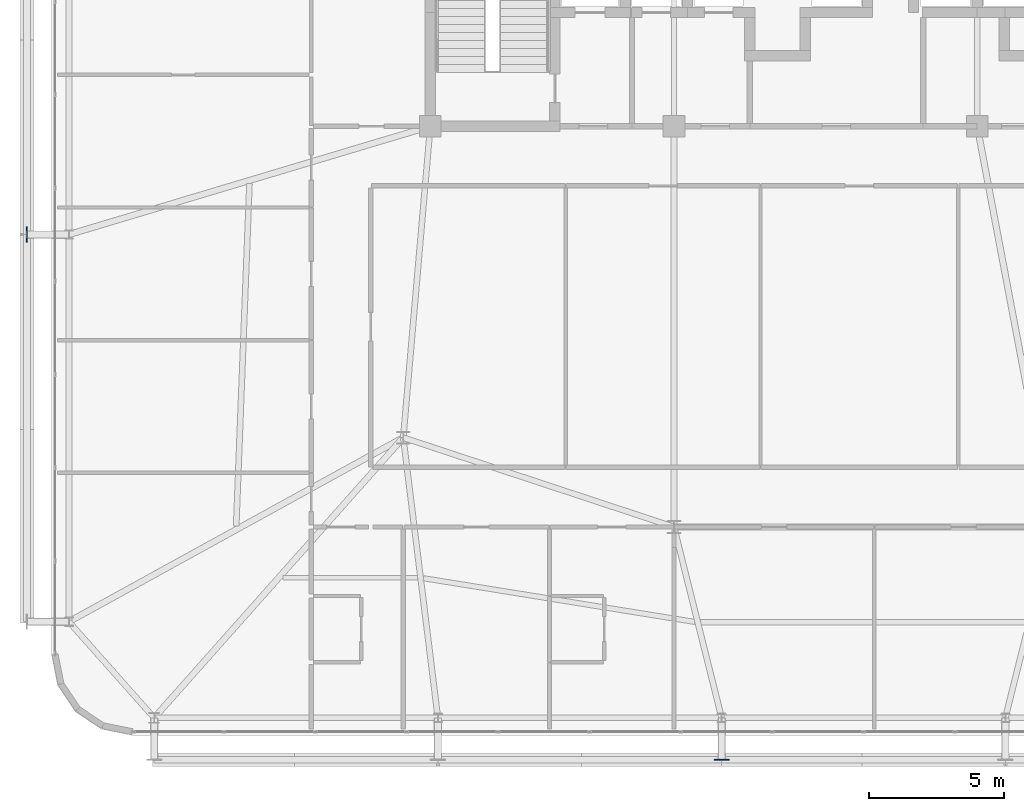
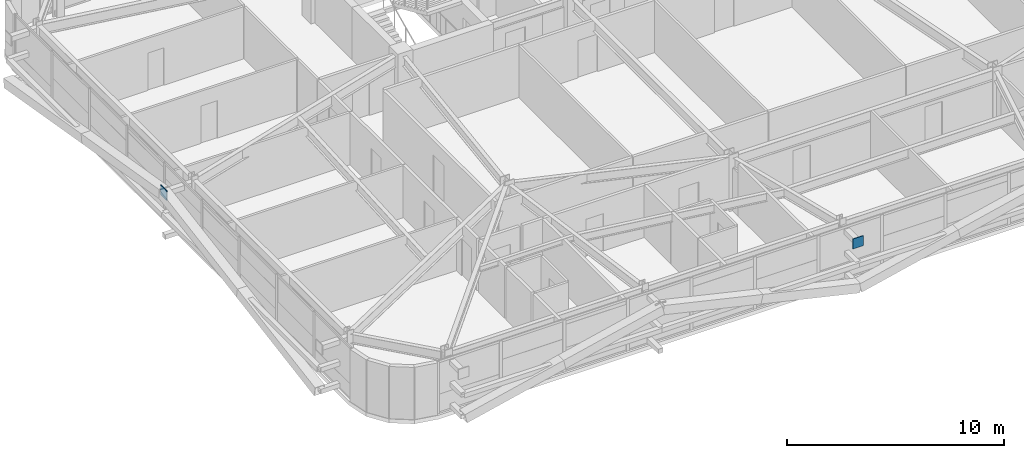
# One storey, part 45 of 58: 2 plates.
"""IFC4 building model written with IfcOpenShell, lengths in metres."""

from ifc_helpers import new_model, si_unit, direction, frame, origin, origin_2d, place, context, subcontext, project, spatial, rectangle, extrude, source, transform, mapped, material, layer, layer_set, type_object, element, save


model = new_model("IFC4")

# Units and contexts
model_context = context("Model", 3, precision=1e-05, world=origin(), true_north=direction((0.0, 1.0)))
body_context = subcontext(model_context, "Body", "Model", "MODEL_VIEW")
ifc_project = project(units=[si_unit("LENGTHUNIT", "METRE"), si_unit("AREAUNIT", "SQUARE_METRE"), si_unit("VOLUMEUNIT", "CUBIC_METRE"), si_unit("PLANEANGLEUNIT", "RADIAN"), si_unit("MASSUNIT", "GRAM", prefix="KILO")], contexts=[model_context])

# Site, building, storey
site_placement = place(None, origin())
site = spatial("IfcSite", under=ifc_project, at=site_placement, CompositionType="ELEMENT")
building_placement = place(site_placement, origin())
building = spatial("IfcBuilding", under=site, at=building_placement, Name="Taldren Reach Tower", CompositionType="ELEMENT")
storey_placement = place(building_placement, frame((0.0, 0.0, 35.699951171875)))
storey = spatial("IfcBuildingStorey", under=building, at=storey_placement, Name="L10", CompositionType="ELEMENT", Elevation=35.699951171875)

# Plates
ifc_material = material(Name="Steel Gr 450 (C450L0)", Category="steel")
ifc_layer = layer(ifc_material, 0.0400390625)
ifc_layer_set = layer_set([ifc_layer], Name="Steel Gr 450 (C450L0)")
plate_type = type_object("IfcPlateType", Name="PL-GUSSET-40", PredefinedType="SHEET", material=ifc_layer_set)
shared_shape = source(origin(), body_context, "Body", "SweptSolid", [
    extrude(rectangle(XDim=0.56005859375, YDim=0.0400390625, at=origin_2d()), origin(), (0.0, 0.0, 1.0), 0.56005859375),
])
for number, where, z_axis, x_axis, name in (
    (1, (29.760009765625, 0.60009765625, 2.3701171875), (0.0, 0.0, 1.0), (1.0, 0.0, 0.0), "Exoskeleton star-node gusset plate B1-S3 L10"),
    (2, (4.10009765625, 20.0, 2.3701171875), (0.0, 0.0, 1.0), (0.0, 1.0, 0.0), "Exoskeleton star-node gusset plate B1-W2 L10"),
):
    element("IfcPlate", number, at=place(storey_placement, frame(where, z_axis=z_axis, x_axis=x_axis)), inside=storey, type_object=plate_type, Name=name, PredefinedType="SHEET", context=body_context, shape_type="MappedRepresentation", body=[
        mapped(shared_shape, transform((0.0, 0.0, 0.0), scale=1.0)),
    ])

save(model, "model.ifc")
